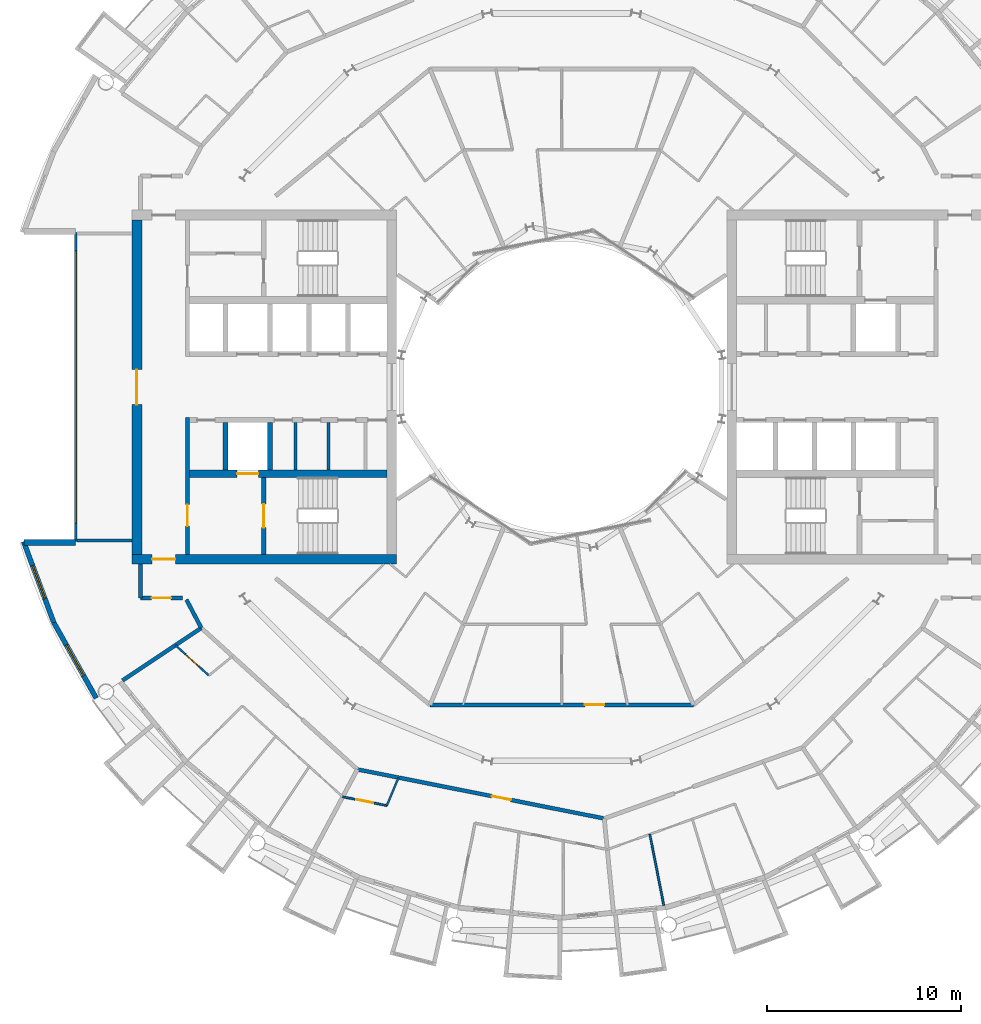
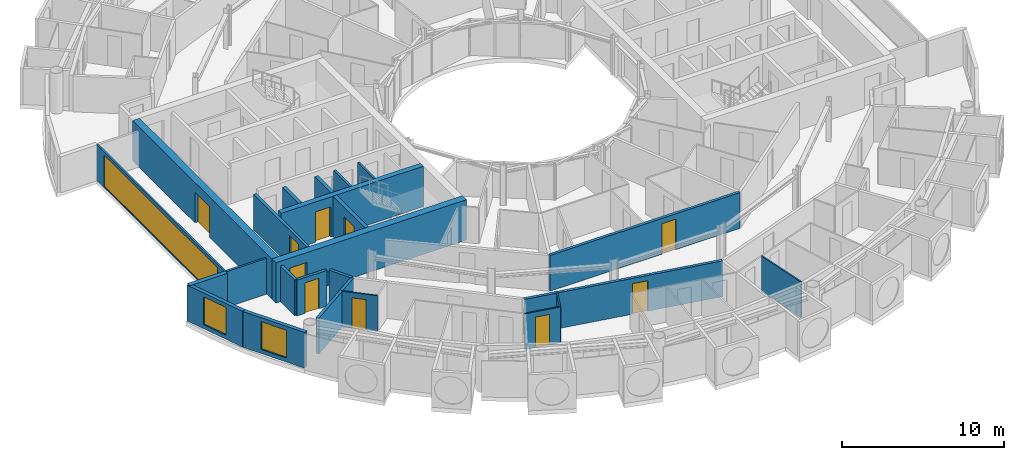
# One storey, part 15 of 28: 24 walls, 10 doors, 3 windows, 13 openings.
"""IFC4 building model written with IfcOpenShell, lengths in metres."""

from ifc_helpers import new_model, si_unit, direction, frame, frame_2d, origin, place, context, subcontext, project, spatial, rectangle, extrude, material, layer, layer_set, type_object, element, fill, save


model = new_model("IFC4")

# Units and contexts
model_context = context("Model", 3, precision=1e-05, world=origin(), true_north=direction((0.0, 1.0)))
body_context = subcontext(model_context, "Body", "Model", "MODEL_VIEW")
ifc_project = project(units=[si_unit("LENGTHUNIT", "METRE"), si_unit("AREAUNIT", "SQUARE_METRE"), si_unit("VOLUMEUNIT", "CUBIC_METRE"), si_unit("PLANEANGLEUNIT", "RADIAN"), si_unit("MASSUNIT", "GRAM", prefix="KILO")], contexts=[model_context])

# Site, building, storey
site_placement = place(None, origin())
site = spatial("IfcSite", under=ifc_project, at=site_placement, CompositionType="ELEMENT")
building_placement = place(site_placement, origin())
building = spatial("IfcBuilding", under=site, at=building_placement, Name="Maasbend Ring Residences", CompositionType="ELEMENT")
storey_placement = place(building_placement, frame((0.0, 0.0, 173.800048828125)))
storey = spatial("IfcBuildingStorey", under=building, at=storey_placement, Name="L50", CompositionType="ELEMENT", Elevation=173.800048828125)

# Wall, opening, door
ifc_material_1 = material(Name="Concrete C60/75", Category="concrete")
ifc_layer_1 = layer(ifc_material_1, 0.25)
ifc_layer_set_1 = layer_set([ifc_layer_1], Name="Concrete C60/75")
wall_type_1 = type_object("IfcWallType", Name="CORE WALL 250 C60/75", PredefinedType="SHEAR", material=ifc_layer_set_1)
wall_1_placement = place(storey_placement, frame((-15.324951171875, -4.64990234375, 0.0), z_axis=(0.0, 0.0, 1.0), x_axis=(0.0, -1.0, 0.0)))
wall_1 = element("IfcWall", 1, at=wall_1_placement, inside=storey, type_object=wall_type_1, Name="L50 core W wall STEN", PredefinedType="SHEAR", context=body_context, shape_type="SweptSolid", body=[
    extrude(rectangle(XDim=3.9501953125, YDim=0.25, at=frame_2d((1.97509765625, 0.0))), origin(), (0.0, 0.0, 1.0), 3.050048828125),
])
opening_1_placement = place(wall_1_placement, frame((1.375, 0.0, 0.0)))
opening_1 = element("IfcOpeningElement", 2, at=opening_1_placement, cuts=wall_1, Name="Opening D-W5012", PredefinedType="OPENING", context=body_context, shape_type="SweptSolid", body=[
    extrude(rectangle(XDim=1.199951171875, YDim=2.300048828125, at=frame_2d((0.60009765625, 1.14990234375))), frame((0.0, 0.135009765625, 0.0), z_axis=(0.0, -1.0, 0.0), x_axis=(1.0, 0.0, 0.0)), (0.0, 0.0, 1.0), 0.27001953125),
])
ifc_material_2 = material(Name="Steel, powder coated", Category="steel")
door_type_1 = type_object("IfcDoorType", Name="STAIR DOOR 1200 X 2300 FD60", OperationType="NOTDEFINED", PredefinedType="DOOR", material=ifc_material_2)
door_1_placement = place(opening_1_placement, origin())
door_1 = element("IfcDoor", 3, at=door_1_placement, inside=storey, type_object=door_type_1, Name="Stair door ST-W L50", OperationType="SINGLE_SWING_LEFT", OverallHeight=2.300048828125, OverallWidth=1.199951171875, PredefinedType="DOOR", context=body_context, shape_type="SweptSolid", body=[
    extrude(rectangle(XDim=1.199951171875, YDim=2.300048828125, at=frame_2d((0.60009765625, 1.14990234375))), frame((0.0, 0.02490234375, 0.0), z_axis=(0.0, -1.0, 0.0), x_axis=(1.0, 0.0, 0.0)), (0.0, 0.0, 1.0), 0.050048828125),
])
fill(opening_1, door_1)

ifc_material_3 = material(Name="Concrete C60/75", Category="concrete")
ifc_layer_2 = layer(ifc_material_3, 0.375)
ifc_layer_set_2 = layer_set([ifc_layer_2], Name="Concrete C60/75")
wall_type_2 = type_object("IfcWallType", Name="CORE WALL 375 C60/75", PredefinedType="SHEAR", material=ifc_layer_set_2)
wall_2_placement = place(storey_placement, frame((-9.0, -4.46240234375, 0.0), z_axis=(0.0, 0.0, 1.0), x_axis=(-1.0, 0.0, 0.0)))
wall_2 = element("IfcWall", 4, at=wall_2_placement, inside=storey, type_object=wall_type_2, Name="L50 core W wall BN", PredefinedType="SHEAR", context=body_context, shape_type="SweptSolid", body=[
    extrude(rectangle(XDim=10.14990234375, YDim=0.375, at=frame_2d((5.074951171875, 0.0))), origin(), (0.0, 0.0, 1.0), 3.050048828125),
])
opening_2_placement = place(wall_2_placement, frame((6.60009765625, 0.0, 0.0)))
opening_2 = element("IfcOpeningElement", 5, at=opening_2_placement, cuts=wall_2, Name="Opening LD-W5001", PredefinedType="OPENING", context=body_context, shape_type="SweptSolid", body=[
    extrude(rectangle(XDim=1.10009765625, YDim=2.300048828125, at=frame_2d((0.550048828125, 1.14990234375))), frame((0.0, 0.197509765625, 0.0), z_axis=(0.0, -1.0, 0.0), x_axis=(1.0, 0.0, 0.0)), (0.0, 0.0, 1.0), 0.39501953125),
])
ifc_material_4 = material(Name="Stainless steel 316", Category="steel")
door_type_2 = type_object("IfcDoorType", Name="LANDING DOOR 1100 X 2300 FD60", OperationType="DOUBLE_DOOR_SLIDING", PredefinedType="DOOR", material=ifc_material_4)
door_2_placement = place(opening_2_placement, origin())
door_2 = element("IfcDoor", 6, at=door_2_placement, inside=storey, type_object=door_type_2, Name="Landing door FF-W L50", OperationType="DOUBLE_DOOR_SLIDING", OverallHeight=2.300048828125, OverallWidth=1.10009765625, PredefinedType="DOOR", context=body_context, shape_type="SweptSolid", body=[
    extrude(rectangle(XDim=1.10009765625, YDim=2.300048828125, at=frame_2d((0.550048828125, 1.14990234375))), frame((0.0, 0.02490234375, 0.0), z_axis=(0.0, -1.0, 0.0), x_axis=(1.0, 0.0, 0.0)), (0.0, 0.0, 1.0), 0.050048828125),
])
fill(opening_2, door_2)

ifc_material_5 = material(Name="Concrete C60/75", Category="concrete")
ifc_layer_3 = layer(ifc_material_5, 0.5)
ifc_layer_set_3 = layer_set([ifc_layer_3], Name="Concrete C60/75")
wall_type_3 = type_object("IfcWallType", Name="CORE WALL 500 C60/75", PredefinedType="SHEAR", material=ifc_layer_set_3)
wall_3_placement = place(storey_placement, frame((-22.10009765625, -8.85009765625, 0.0), z_axis=(0.0, 0.0, 1.0), x_axis=(1.0, 0.0, 0.0)))
wall_3 = element("IfcWall", 7, at=wall_3_placement, inside=storey, type_object=wall_type_3, Name="L50 core W wall PN", PredefinedType="SHEAR", context=body_context, shape_type="SweptSolid", body=[
    extrude(rectangle(XDim=13.60009765625, YDim=0.5, at=frame_2d((6.800048828125, 0.0))), origin(), (0.0, 0.0, 1.0), 3.050048828125),
])
opening_3_placement = place(wall_3_placement, frame((1.02490234375, 0.0, 0.0)))
opening_3 = element("IfcOpeningElement", 8, at=opening_3_placement, cuts=wall_3, Name="Opening D-W5016", PredefinedType="OPENING", context=body_context, shape_type="SweptSolid", body=[
    extrude(rectangle(XDim=1.199951171875, YDim=2.300048828125, at=frame_2d((0.60009765625, 1.14990234375))), frame((0.0, 0.260009765625, 0.0), z_axis=(0.0, -1.0, 0.0), x_axis=(1.0, 0.0, 0.0)), (0.0, 0.0, 1.0), 0.52001953125),
])
ifc_material_6 = material(Name="Steel, powder coated", Category="steel")
door_type_3 = type_object("IfcDoorType", Name="CORRIDOR DOOR 1200 X 2300 FD30S", OperationType="NOTDEFINED", PredefinedType="DOOR", material=ifc_material_6)
door_3_placement = place(opening_3_placement, origin())
door_3 = element("IfcDoor", 9, at=door_3_placement, inside=storey, type_object=door_type_3, Name="Corridor door L50", OperationType="SINGLE_SWING_RIGHT", OverallHeight=2.300048828125, OverallWidth=1.199951171875, PredefinedType="DOOR", context=body_context, shape_type="SweptSolid", body=[
    extrude(rectangle(XDim=1.199951171875, YDim=2.300048828125, at=frame_2d((0.60009765625, 1.14990234375))), frame((0.0, 0.02490234375, 0.0), z_axis=(0.0, -1.0, 0.0), x_axis=(1.0, 0.0, 0.0)), (0.0, 0.0, 1.0), 0.050048828125),
])
fill(opening_3, door_3)

wall_4_placement = place(storey_placement, frame((-21.85009765625, -8.60009765625, 0.0), z_axis=(0.0, 0.0, 1.0), x_axis=(0.0, 1.0, 0.0)))
wall_4 = element("IfcWall", 10, at=wall_4_placement, inside=storey, type_object=wall_type_3, Name="L50 core W wall POUT", PredefinedType="SHEAR", context=body_context, shape_type="SweptSolid", body=[
    extrude(rectangle(XDim=17.2001953125, YDim=0.5, at=frame_2d((8.60009765625, 0.0))), origin(), (0.0, 0.0, 1.0), 3.050048828125),
])
opening_4_placement = place(wall_4_placement, frame((7.699951171875, 0.0, 0.0)))
opening_4 = element("IfcOpeningElement", 11, at=opening_4_placement, cuts=wall_4, Name="Opening D-W5018", PredefinedType="OPENING", context=body_context, shape_type="SweptSolid", body=[
    extrude(rectangle(XDim=1.800048828125, YDim=2.300048828125, at=frame_2d((0.89990234375, 1.14990234375))), frame((0.0, 0.260009765625, 0.0), z_axis=(0.0, -1.0, 0.0), x_axis=(1.0, 0.0, 0.0)), (0.0, 0.0, 1.0), 0.52001953125),
])
ifc_material_7 = material(Name="Aluminium frame, clear glass", Category="aluminium")
door_type_4 = type_object("IfcDoorType", Name="ENTRANCE DOOR 1800 X 2300 FD60", OperationType="NOTDEFINED", PredefinedType="DOOR", material=ifc_material_7)
door_4_placement = place(opening_4_placement, origin())
door_4 = element("IfcDoor", 12, at=door_4_placement, inside=storey, type_object=door_type_4, Name="Lobby glazed door L50", OperationType="SINGLE_SWING_LEFT", OverallHeight=2.300048828125, OverallWidth=1.800048828125, PredefinedType="DOOR", context=body_context, shape_type="SweptSolid", body=[
    extrude(rectangle(XDim=1.800048828125, YDim=2.300048828125, at=frame_2d((0.89990234375, 1.14990234375))), frame((0.0, 0.02490234375, 0.0), z_axis=(0.0, -1.0, 0.0), x_axis=(1.0, 0.0, 0.0)), (0.0, 0.0, 1.0), 0.050048828125),
])
fill(opening_4, door_4)

# Wall
ifc_material_8 = material(Name="Concrete C30/37", Category="concrete")
ifc_layer_4 = layer(ifc_material_8, 0.199951171875)
ifc_layer_set_4 = layer_set([ifc_layer_4], Name="Concrete C30/37")
wall_type_4 = type_object("IfcWallType", Name="CORRIDOR WALL 200 CONCRETE", PredefinedType="PARTITIONING", material=ifc_layer_set_4)
wall_5_placement = place(storey_placement, frame((-19.306884765625, -10.93505859375, 0.0), z_axis=(0.0, 0.0, 1.0), x_axis=(0.465605550524, -0.884992356646, 0.0)))
element("IfcWall", 13, at=wall_5_placement, inside=storey, type_object=wall_type_4, Name="U-L50-w009", PredefinedType="PARTITIONING", context=body_context, shape_type="SweptSolid", body=[
    extrude(rectangle(XDim=1.642822265625, YDim=0.199951171875, at=frame_2d((0.8212890625, 0.0))), origin(), (0.0, 0.0, 1.0), 2.699951171875),
])

# Wall, opening, door
wall_6_placement = place(storey_placement, frame((-10.511962890625, -19.6669921875, 0.0), z_axis=(0.0, 0.0, 1.0), x_axis=(0.980780341017, -0.195115152343, 0.0)))
wall_6 = element("IfcWall", 14, at=wall_6_placement, inside=storey, type_object=wall_type_4, Name="U-L50-w016", PredefinedType="PARTITIONING", context=body_context, shape_type="SweptSolid", body=[
    extrude(rectangle(XDim=12.94677734375, YDim=0.199951171875, at=frame_2d((6.473388671875, 0.0))), origin(), (0.0, 0.0, 1.0), 2.699951171875),
])
opening_5_placement = place(wall_6_placement, frame((7.052001953125, 0.0, 0.0)))
opening_5 = element("IfcOpeningElement", 15, at=opening_5_placement, cuts=wall_6, Name="Opening D-5038", PredefinedType="OPENING", context=body_context, shape_type="SweptSolid", body=[
    extrude(rectangle(XDim=1.0, YDim=2.300048828125, at=frame_2d((0.5, 1.14990234375))), frame((0.0, 0.10986328125, 0.0), z_axis=(0.0, -1.0, 0.0), x_axis=(1.0, 0.0, 0.0)), (0.0, 0.0, 1.0), 0.219970703125),
])
ifc_material_9 = material(Name="Timber, fire-rated, painted", Category="wood")
door_type_5 = type_object("IfcDoorType", Name="FLAT ENTRANCE DOOR 1000 X 2300 FIRE-RATED", OperationType="NOTDEFINED", PredefinedType="DOOR", material=ifc_material_9)
door_5_placement = place(opening_5_placement, origin())
door_5 = element("IfcDoor", 16, at=door_5_placement, inside=storey, type_object=door_type_5, Name="D-5038", OperationType="SINGLE_SWING_RIGHT", OverallHeight=2.300048828125, OverallWidth=1.0, PredefinedType="DOOR", context=body_context, shape_type="SweptSolid", body=[
    extrude(rectangle(XDim=1.0, YDim=2.300048828125, at=frame_2d((0.5, 1.14990234375))), frame((0.0, 0.02490234375, 0.0), z_axis=(0.0, -1.0, 0.0), x_axis=(1.0, 0.0, 0.0)), (0.0, 0.0, 1.0), 0.050048828125),
])
fill(opening_5, door_5)

wall_7_placement = place(storey_placement, frame((-6.77294921875, -16.35302734375, 0.0), z_axis=(0.0, 0.0, 1.0), x_axis=(1.0, 0.0, 0.0)))
wall_7 = element("IfcWall", 17, at=wall_7_placement, inside=storey, type_object=wall_type_4, Name="U-L50-w019", PredefinedType="PARTITIONING", context=body_context, shape_type="SweptSolid", body=[
    extrude(rectangle(XDim=13.5458984375, YDim=0.199951171875, at=frame_2d((6.77294921875, 0.0))), origin(), (0.0, 0.0, 1.0), 2.699951171875),
])
opening_6_placement = place(wall_7_placement, frame((7.966064453125, 0.0, 0.0)))
opening_6 = element("IfcOpeningElement", 18, at=opening_6_placement, cuts=wall_7, Name="Opening D-5056", PredefinedType="OPENING", context=body_context, shape_type="SweptSolid", body=[
    extrude(rectangle(XDim=1.0, YDim=2.300048828125, at=frame_2d((0.5, 1.14990234375))), frame((0.0, 0.10986328125, 0.0), z_axis=(0.0, -1.0, 0.0), x_axis=(1.0, 0.0, 0.0)), (0.0, 0.0, 1.0), 0.219970703125),
])
door_6_placement = place(opening_6_placement, origin())
door_6 = element("IfcDoor", 19, at=door_6_placement, inside=storey, type_object=door_type_5, Name="D-5056", OperationType="SINGLE_SWING_RIGHT", OverallHeight=2.300048828125, OverallWidth=1.0, PredefinedType="DOOR", context=body_context, shape_type="SweptSolid", body=[
    extrude(rectangle(XDim=1.0, YDim=2.300048828125, at=frame_2d((0.5, 1.14990234375))), frame((0.0, 0.02490234375, 0.0), z_axis=(0.0, -1.0, 0.0), x_axis=(1.0, 0.0, 0.0)), (0.0, 0.0, 1.0), 0.050048828125),
])
fill(opening_6, door_6)

wall_8_placement = place(storey_placement, frame((-21.675048828125, -10.85009765625, 0.0), z_axis=(0.0, 0.0, 1.0), x_axis=(1.0, 0.0, 0.0)))
wall_8 = element("IfcWall", 20, at=wall_8_placement, inside=storey, type_object=wall_type_4, Name="U-L50-w026", PredefinedType="PARTITIONING", context=body_context, shape_type="SweptSolid", body=[
    extrude(rectangle(XDim=2.171142578125, YDim=0.199951171875, at=frame_2d((1.08544921875, 0.0))), origin(), (0.0, 0.0, 1.0), 2.699951171875),
])
opening_7_placement = place(wall_8_placement, frame((0.5849609375, 0.0, 0.0)))
opening_7 = element("IfcOpeningElement", 21, at=opening_7_placement, cuts=wall_8, Name="Opening D-5065", PredefinedType="OPENING", context=body_context, shape_type="SweptSolid", body=[
    extrude(rectangle(XDim=1.0, YDim=2.300048828125, at=frame_2d((0.5, 1.14990234375))), frame((0.0, 0.10986328125, 0.0), z_axis=(0.0, -1.0, 0.0), x_axis=(1.0, 0.0, 0.0)), (0.0, 0.0, 1.0), 0.219970703125),
])
ifc_material_10 = material(Name="Timber, painted", Category="wood")
door_type_6 = type_object("IfcDoorType", Name="ROOM DOOR 1000 X 2300", OperationType="NOTDEFINED", PredefinedType="DOOR", material=ifc_material_10)
door_7_placement = place(opening_7_placement, origin())
door_7 = element("IfcDoor", 22, at=door_7_placement, inside=storey, type_object=door_type_6, Name="D-5065", OperationType="SINGLE_SWING_LEFT", OverallHeight=2.300048828125, OverallWidth=1.0, PredefinedType="DOOR", context=body_context, shape_type="SweptSolid", body=[
    extrude(rectangle(XDim=1.0, YDim=2.300048828125, at=frame_2d((0.5, 1.14990234375))), frame((0.0, 0.02490234375, 0.0), z_axis=(0.0, -1.0, 0.0), x_axis=(1.0, 0.0, 0.0)), (0.0, 0.0, 1.0), 0.050048828125),
])
fill(opening_7, door_7)

# Wall
wall_9_placement = place(storey_placement, frame((-21.675048828125, -10.85009765625, 0.0), z_axis=(0.0, 0.0, 1.0), x_axis=(0.0, 1.0, 0.0)))
element("IfcWall", 23, at=wall_9_placement, inside=storey, type_object=wall_type_4, Name="U-L50-w108", PredefinedType="PARTITIONING", context=body_context, shape_type="SweptSolid", body=[
    extrude(rectangle(XDim=1.75, YDim=0.199951171875, at=frame_2d((0.875, 0.0))), origin(), (0.0, 0.0, 1.0), 2.699951171875),
])

# Wall, opening, window
ifc_material_11 = material(Name="Aluminium clad insulated panel", Category="aluminium")
ifc_layer_5 = layer(ifc_material_11, 0.25)
ifc_layer_set_5 = layer_set([ifc_layer_5], Name="EW-HORN")
wall_type_5 = type_object("IfcWallType", Name="EW-HORN", PredefinedType="SOLIDWALL", material=ifc_layer_set_5)
wall_10_placement = place(storey_placement, frame((-27.681884765625, -7.945068359375, 0.0), z_axis=(0.0, 0.0, 1.0), x_axis=(0.349247811493, -0.937030397675, 0.0)))
wall_10 = element("IfcWall", 24, at=wall_10_placement, inside=storey, type_object=wall_type_5, Name="Horn wall 3.1", PredefinedType="SOLIDWALL", context=body_context, shape_type="SweptSolid", body=[
    extrude(rectangle(XDim=4.4521484375, YDim=0.25, at=frame_2d((2.22607421875, 0.0))), origin(), (0.0, 0.0, 1.0), 2.699951171875),
])
opening_8_placement = place(wall_10_placement, frame((1.32666015625, 0.0, 0.300048828125)))
opening_8 = element("IfcOpeningElement", 25, at=opening_8_placement, cuts=wall_10, Name="Opening W-BX", PredefinedType="OPENING", context=body_context, shape_type="SweptSolid", body=[
    extrude(rectangle(XDim=1.800048828125, YDim=2.10009765625, at=frame_2d((0.89990234375, 1.050048828125))), frame((0.0, 0.135009765625, 0.0), z_axis=(0.0, -1.0, 0.0), x_axis=(1.0, 0.0, 0.0)), (0.0, 0.0, 1.0), 0.27001953125),
])
ifc_material_12 = material(Name="Aluminium and clear glass", Category="aluminium")
window_type_1 = type_object("IfcWindowType", Name="W-BX", PartitioningType="DOUBLE_PANEL_VERTICAL", PredefinedType="WINDOW", material=ifc_material_12)
window_1_placement = place(opening_8_placement, origin())
window_1 = element("IfcWindow", 26, at=window_1_placement, inside=storey, type_object=window_type_1, Name="Horn window 3.1", OverallHeight=2.10009765625, OverallWidth=1.800048828125, PartitioningType="SINGLE_PANEL", PredefinedType="WINDOW", context=body_context, shape_type="SweptSolid", body=[
    extrude(rectangle(XDim=1.800048828125, YDim=2.10009765625, at=frame_2d((0.89990234375, 1.050048828125))), frame((0.0, 0.030029296875, 0.0), z_axis=(0.0, -1.0, 0.0), x_axis=(1.0, 0.0, 0.0)), (0.0, 0.0, 1.0), 0.06005859375),
])
fill(opening_8, window_1)

wall_11_placement = place(storey_placement, frame((-26.126953125, -12.116943359375, 0.0), z_axis=(0.0, 0.0, 1.0), x_axis=(0.489696356642, -0.871893042919, 0.0)))
wall_11 = element("IfcWall", 27, at=wall_11_placement, inside=storey, type_object=wall_type_5, Name="Horn wall 3.2", PredefinedType="SOLIDWALL", context=body_context, shape_type="SweptSolid", body=[
    extrude(rectangle(XDim=4.45361328125, YDim=0.25, at=frame_2d((2.226806640625, 0.0))), origin(), (0.0, 0.0, 1.0), 2.699951171875),
])
opening_9_placement = place(wall_11_placement, frame((1.32666015625, 0.0, 0.300048828125)))
opening_9 = element("IfcOpeningElement", 28, at=opening_9_placement, cuts=wall_11, Name="Opening W-BX", PredefinedType="OPENING", context=body_context, shape_type="SweptSolid", body=[
    extrude(rectangle(XDim=1.800048828125, YDim=2.10009765625, at=frame_2d((0.89990234375, 1.050048828125))), frame((0.0, 0.135009765625, 0.0), z_axis=(0.0, -1.0, 0.0), x_axis=(1.0, 0.0, 0.0)), (0.0, 0.0, 1.0), 0.27001953125),
])
window_2_placement = place(opening_9_placement, origin())
window_2 = element("IfcWindow", 29, at=window_2_placement, inside=storey, type_object=window_type_1, Name="Horn window 3.2", OverallHeight=2.10009765625, OverallWidth=1.800048828125, PartitioningType="SINGLE_PANEL", PredefinedType="WINDOW", context=body_context, shape_type="SweptSolid", body=[
    extrude(rectangle(XDim=1.800048828125, YDim=2.10009765625, at=frame_2d((0.89990234375, 1.050048828125))), frame((0.0, 0.030029296875, 0.0), z_axis=(0.0, -1.0, 0.0), x_axis=(1.0, 0.0, 0.0)), (0.0, 0.0, 1.0), 0.06005859375),
])
fill(opening_9, window_2)

# Wall
ifc_material_13 = material(Name="Aluminium clad insulated panel", Category="aluminium")
ifc_layer_6 = layer(ifc_material_13, 0.300048828125)
ifc_layer_set_6 = layer_set([ifc_layer_6], Name="EW-RET")
wall_type_6 = type_object("IfcWallType", Name="EW-RET", PredefinedType="SOLIDWALL", material=ifc_layer_set_6)
wall_12_placement = place(storey_placement, frame((-25.0, -8.0, 0.0), z_axis=(0.0, 0.0, 1.0), x_axis=(-1.0, 0.0, 0.0)))
element("IfcWall", 30, at=wall_12_placement, inside=storey, type_object=wall_type_6, Name="Notch return wall west south", PredefinedType="SOLIDWALL", context=body_context, shape_type="SweptSolid", body=[
    extrude(rectangle(XDim=2.6669921875, YDim=0.300048828125, at=frame_2d((1.33349609375, 0.0))), origin(), (0.0, 0.0, 1.0), 2.699951171875),
])

# Wall, opening, window
ifc_material_14 = material(Name="Aluminium frame and clear glass", Category="aluminium")
ifc_layer_7 = layer(ifc_material_14, 0.1201171875)
ifc_layer_set_7 = layer_set([ifc_layer_7], Name="GLAZED SCREEN WALL 120 EI 60")
wall_type_7 = type_object("IfcWallType", Name="GLAZED SCREEN WALL 120 EI 60", PredefinedType="PARTITIONING", material=ifc_layer_set_7)
wall_13_placement = place(storey_placement, frame((-25.0, 7.949951171875, 0.0), z_axis=(0.0, 0.0, 1.0), x_axis=(0.0, -1.0, 0.0)))
wall_13 = element("IfcWall", 31, at=wall_13_placement, inside=storey, type_object=wall_type_7, Name="L50 core W wall FACE", PredefinedType="PARTITIONING", context=body_context, shape_type="SweptSolid", body=[
    extrude(rectangle(XDim=15.89990234375, YDim=0.1201171875, at=frame_2d((7.949951171875, 0.0))), origin(), (0.0, 0.0, 1.0), 2.699951171875),
])
opening_10_placement = place(wall_13_placement, frame((0.949951171875, 0.0, 0.10009765625)))
opening_10 = element("IfcOpeningElement", 32, at=opening_10_placement, cuts=wall_13, Name="Opening W-W5002", PredefinedType="OPENING", context=body_context, shape_type="SweptSolid", body=[
    extrude(rectangle(XDim=14.0, YDim=2.35009765625, at=frame_2d((7.0, 1.175048828125))), frame((0.0, 0.070068359375, 0.0), z_axis=(0.0, -1.0, 0.0), x_axis=(1.0, 0.0, 0.0)), (0.0, 0.0, 1.0), 0.14013671875),
])
ifc_material_15 = material(Name="Aluminium frame and clear glass", Category="aluminium")
window_type_2 = type_object("IfcWindowType", Name="FIXED WINDOW 14000 X 2350", PartitioningType="SINGLE_PANEL", PredefinedType="WINDOW", material=ifc_material_15)
window_3_placement = place(opening_10_placement, origin())
window_3 = element("IfcWindow", 33, at=window_3_placement, inside=storey, type_object=window_type_2, Name="Lobby window L50", OverallHeight=2.35009765625, OverallWidth=14.0, PartitioningType="SINGLE_PANEL", PredefinedType="WINDOW", context=body_context, shape_type="SweptSolid", body=[
    extrude(rectangle(XDim=14.0, YDim=2.35009765625, at=frame_2d((7.0, 1.175048828125))), frame((0.0, 0.030029296875, 0.0), z_axis=(0.0, -1.0, 0.0), x_axis=(1.0, 0.0, 0.0)), (0.0, 0.0, 1.0), 0.06005859375),
])
fill(opening_10, window_3)

# Wall, opening, door
ifc_material_16 = material(Name="Gypsum board on steel studs", Category="steel")
ifc_layer_8 = layer(ifc_material_16, 0.10009765625)
ifc_layer_set_8 = layer_set([ifc_layer_8], Name="PARTITION 100 GYPSUM")
wall_type_8 = type_object("IfcWallType", Name="PARTITION 100 GYPSUM", PredefinedType="PARTITIONING", material=ifc_layer_set_8)
wall_14_placement = place(storey_placement, frame((-19.8720703125, -13.278076171875, 0.0), z_axis=(0.0, 0.0, 1.0), x_axis=(0.740990220108, -0.671515817911, 0.0)))
wall_14 = element("IfcWall", 34, at=wall_14_placement, inside=storey, type_object=wall_type_8, Name="U-L50-w003", PredefinedType="PARTITIONING", context=body_context, shape_type="SweptSolid", body=[
    extrude(rectangle(XDim=2.32275390625, YDim=0.10009765625, at=frame_2d((1.161376953125, 0.0))), origin(), (0.0, 0.0, 1.0), 2.699951171875),
])
opening_11_placement = place(wall_14_placement, frame((0.7109375, 0.0, 0.0)))
opening_11 = element("IfcOpeningElement", 35, at=opening_11_placement, cuts=wall_14, Name="Opening D-5034", PredefinedType="OPENING", context=body_context, shape_type="SweptSolid", body=[
    extrude(rectangle(XDim=0.89990234375, YDim=2.300048828125, at=frame_2d((0.449951171875, 1.14990234375))), frame((0.0, 0.06005859375, 0.0), z_axis=(0.0, -1.0, 0.0), x_axis=(1.0, 0.0, 0.0)), (0.0, 0.0, 1.0), 0.1201171875),
])
ifc_material_17 = material(Name="Timber, painted", Category="wood")
door_type_7 = type_object("IfcDoorType", Name="INTERNAL DOOR 900 X 2300", OperationType="NOTDEFINED", PredefinedType="DOOR", material=ifc_material_17)
door_8_placement = place(opening_11_placement, origin())
door_8 = element("IfcDoor", 36, at=door_8_placement, inside=storey, type_object=door_type_7, Name="D-5034", OperationType="SINGLE_SWING_RIGHT", OverallHeight=2.300048828125, OverallWidth=0.89990234375, PredefinedType="DOOR", context=body_context, shape_type="SweptSolid", body=[
    extrude(rectangle(XDim=0.89990234375, YDim=2.300048828125, at=frame_2d((0.449951171875, 1.14990234375))), frame((0.0, 0.02490234375, 0.0), z_axis=(0.0, -1.0, 0.0), x_axis=(1.0, 0.0, 0.0)), (0.0, 0.0, 1.0), 0.050048828125),
])
fill(opening_11, door_8)

wall_15_placement = place(storey_placement, frame((-11.26806640625, -21.076904296875, 0.0), z_axis=(0.0, 0.0, 1.0), x_axis=(0.980783177308, -0.19510089469, 0.0)))
wall_15 = element("IfcWall", 37, at=wall_15_placement, inside=storey, type_object=wall_type_8, Name="U-L50-w007", PredefinedType="PARTITIONING", context=body_context, shape_type="SweptSolid", body=[
    extrude(rectangle(XDim=2.3125, YDim=0.10009765625, at=frame_2d((1.15625, 0.0))), origin(), (0.0, 0.0, 1.0), 2.699951171875),
])
opening_12_placement = place(wall_15_placement, frame((0.7080078125, 0.0, 0.0)))
opening_12 = element("IfcOpeningElement", 38, at=opening_12_placement, cuts=wall_15, Name="Opening D-5039", PredefinedType="OPENING", context=body_context, shape_type="SweptSolid", body=[
    extrude(rectangle(XDim=0.89990234375, YDim=2.300048828125, at=frame_2d((0.449951171875, 1.14990234375))), frame((0.0, 0.06005859375, 0.0), z_axis=(0.0, -1.0, 0.0), x_axis=(1.0, 0.0, 0.0)), (0.0, 0.0, 1.0), 0.1201171875),
])
door_9_placement = place(opening_12_placement, origin())
door_9 = element("IfcDoor", 39, at=door_9_placement, inside=storey, type_object=door_type_7, Name="D-5039", OperationType="SINGLE_SWING_RIGHT", OverallHeight=2.300048828125, OverallWidth=0.89990234375, PredefinedType="DOOR", context=body_context, shape_type="SweptSolid", body=[
    extrude(rectangle(XDim=0.89990234375, YDim=2.300048828125, at=frame_2d((0.449951171875, 1.14990234375))), frame((0.0, 0.02490234375, 0.0), z_axis=(0.0, -1.0, 0.0), x_axis=(1.0, 0.0, 0.0)), (0.0, 0.0, 1.0), 0.050048828125),
])
fill(opening_12, door_9)

# Walls
wall_16_placement = place(storey_placement, frame((-8.998046875, -21.529052734375, 0.0), z_axis=(0.0, 0.0, 1.0), x_axis=(0.385469858593, 0.922720427929, 0.0)))
element("IfcWall", 40, at=wall_16_placement, inside=storey, type_object=wall_type_8, Name="U-L50-w048", PredefinedType="PARTITIONING", context=body_context, shape_type="SweptSolid", body=[
    extrude(rectangle(XDim=1.561767578125, YDim=0.10009765625, at=frame_2d((0.78076171875, 0.0))), origin(), (0.0, 0.0, 1.0), 2.699951171875),
])
wall_17_placement = place(storey_placement, frame((4.530029296875, -23.001953125, 0.0), z_axis=(0.0, 0.0, 1.0), x_axis=(0.193208762378, -0.981157670377, 0.0)))
element("IfcWall", 41, at=wall_17_placement, inside=storey, type_object=wall_type_8, Name="U-L50-w072", PredefinedType="PARTITIONING", context=body_context, shape_type="SweptSolid", body=[
    extrude(rectangle(XDim=3.7314453125, YDim=0.10009765625, at=frame_2d((1.86572265625, 0.0))), origin(), (0.0, 0.0, 1.0), 2.699951171875),
])
ifc_material_18 = material(Name="Gypsum board on steel studs", Category="steel")
ifc_layer_9 = layer(ifc_material_18, 0.14990234375)
ifc_layer_set_9 = layer_set([ifc_layer_9], Name="PARTITION 150 EI 60")
wall_type_9 = type_object("IfcWallType", Name="PARTITION 150 EI 60", PredefinedType="PARTITIONING", material=ifc_layer_set_9)
for number, where, z_axis, x_axis, name in (
    (42, (-12.0, -1.824951171875, 0.0), (0.0, 0.0, 1.0), (0.0, -1.0, 0.0), "L50 core W wall PRN1200"),
    (43, (-13.699951171875, -1.824951171875, 0.0), (0.0, 0.0, 1.0), (0.0, -1.0, 0.0), "L50 core W wall PRN1370"),
):
    element("IfcWall", number, at=place(storey_placement, frame(where, z_axis=z_axis, x_axis=x_axis)), inside=storey, type_object=wall_type_9, Name=name, PredefinedType="PARTITIONING", context=body_context, shape_type="SweptSolid", body=[
        extrude(rectangle(XDim=2.449951171875, YDim=0.14990234375, at=frame_2d((1.22509765625, 0.0))), origin(), (0.0, 0.0, 1.0), 2.699951171875),
    ])
wall_18_placement = place(storey_placement, frame((-22.10009765625, -7.89990234375, 0.0), z_axis=(0.0, 0.0, 1.0), x_axis=(-1.0, 0.0, 0.0)))
element("IfcWall", 44, at=wall_18_placement, inside=storey, type_object=wall_type_9, Name="L50 core W wall CITN", PredefinedType="PARTITIONING", context=body_context, shape_type="SweptSolid", body=[
    extrude(rectangle(XDim=2.83984375, YDim=0.14990234375, at=frame_2d((1.419921875, 0.0))), origin(), (0.0, 0.0, 1.0), 2.699951171875),
])
ifc_material_19 = material(Name="Concrete C30/37", Category="concrete")
ifc_layer_10 = layer(ifc_material_19, 0.199951171875)
ifc_layer_set_10 = layer_set([ifc_layer_10], Name="Concrete C30/37")
wall_type_10 = type_object("IfcWallType", Name="PARTY WALL 200 CONCRETE", PredefinedType="PARTITIONING", material=ifc_layer_set_10)
wall_19_placement = place(storey_placement, frame((-22.594970703125, -15.097900390625, 0.0), z_axis=(0.0, 0.0, 1.0), x_axis=(0.831387096605, 0.55569370664, 0.0)))
element("IfcWall", 45, at=wall_19_placement, inside=storey, type_object=wall_type_10, Name="U-L50-w033", PredefinedType="PARTITIONING", context=body_context, shape_type="SweptSolid", body=[
    extrude(rectangle(XDim=4.875, YDim=0.199951171875, at=frame_2d((2.4375, 0.0))), origin(), (0.0, 0.0, 1.0), 2.699951171875),
])

# Wall, opening, door
ifc_material_20 = material(Name="Concrete C30/37", Category="concrete")
ifc_layer_11 = layer(ifc_material_20, 0.199951171875)
ifc_layer_set_11 = layer_set([ifc_layer_11], Name="Concrete C30/37")
wall_type_11 = type_object("IfcWallType", Name="SHAFT WALL 200 EI 120", PredefinedType="SOLIDWALL", material=ifc_layer_set_11)
wall_20_placement = place(storey_placement, frame((-19.25, -1.574951171875, 0.0), z_axis=(0.0, 0.0, 1.0), x_axis=(0.0, -1.0, 0.0)))
wall_20 = element("IfcWall", 46, at=wall_20_placement, inside=storey, type_object=wall_type_11, Name="L50 core W wall ENDN", PredefinedType="SOLIDWALL", context=body_context, shape_type="SweptSolid", body=[
    extrude(rectangle(XDim=7.025146484375, YDim=0.199951171875, at=frame_2d((3.5126953125, 0.0))), origin(), (0.0, 0.0, 1.0), 2.699951171875),
])
opening_13_placement = place(wall_20_placement, frame((4.47509765625, 0.0, 0.0)))
opening_13 = element("IfcOpeningElement", 47, at=opening_13_placement, cuts=wall_20, Name="Opening D-W5014", PredefinedType="OPENING", context=body_context, shape_type="SweptSolid", body=[
    extrude(rectangle(XDim=1.10009765625, YDim=2.300048828125, at=frame_2d((0.550048828125, 1.14990234375))), frame((0.0, 0.10986328125, 0.0), z_axis=(0.0, -1.0, 0.0), x_axis=(1.0, 0.0, 0.0)), (0.0, 0.0, 1.0), 0.219970703125),
])
ifc_material_21 = material(Name="Steel, powder coated", Category="steel")
door_type_8 = type_object("IfcDoorType", Name="LOBBY DOOR 1100 X 2300 FD60", OperationType="NOTDEFINED", PredefinedType="DOOR", material=ifc_material_21)
door_10_placement = place(opening_13_placement, origin())
door_10 = element("IfcDoor", 48, at=door_10_placement, inside=storey, type_object=door_type_8, Name="Lobby door L50", OperationType="SINGLE_SWING_LEFT", OverallHeight=2.300048828125, OverallWidth=1.10009765625, PredefinedType="DOOR", context=body_context, shape_type="SweptSolid", body=[
    extrude(rectangle(XDim=1.10009765625, YDim=2.300048828125, at=frame_2d((0.550048828125, 1.14990234375))), frame((0.0, 0.02490234375, 0.0), z_axis=(0.0, -1.0, 0.0), x_axis=(1.0, 0.0, 0.0)), (0.0, 0.0, 1.0), 0.050048828125),
])
fill(opening_13, door_10)

# Walls
ifc_material_22 = material(Name="Concrete C30/37", Category="concrete")
ifc_layer_12 = layer(ifc_material_22, 0.25)
ifc_layer_set_12 = layer_set([ifc_layer_12], Name="Concrete C30/37")
wall_type_12 = type_object("IfcWallType", Name="SHAFT WALL 250 EI 120", PredefinedType="SOLIDWALL", material=ifc_layer_set_12)
for number, where, z_axis, x_axis, name in (
    (49, (-15.0, -1.824951171875, 0.0), (0.0, 0.0, 1.0), (0.0, -1.0, 0.0), "L50 core W wall D150N"),
    (50, (-17.300048828125, -1.824951171875, 0.0), (0.0, 0.0, 1.0), (0.0, -1.0, 0.0), "L50 core W wall D173N"),
):
    element("IfcWall", number, at=place(storey_placement, frame(where, z_axis=z_axis, x_axis=x_axis)), inside=storey, type_object=wall_type_12, Name=name, PredefinedType="SOLIDWALL", context=body_context, shape_type="SweptSolid", body=[
        extrude(rectangle(XDim=2.449951171875, YDim=0.25, at=frame_2d((1.22509765625, 0.0))), origin(), (0.0, 0.0, 1.0), 2.699951171875),
    ])

save(model, "model.ifc")
